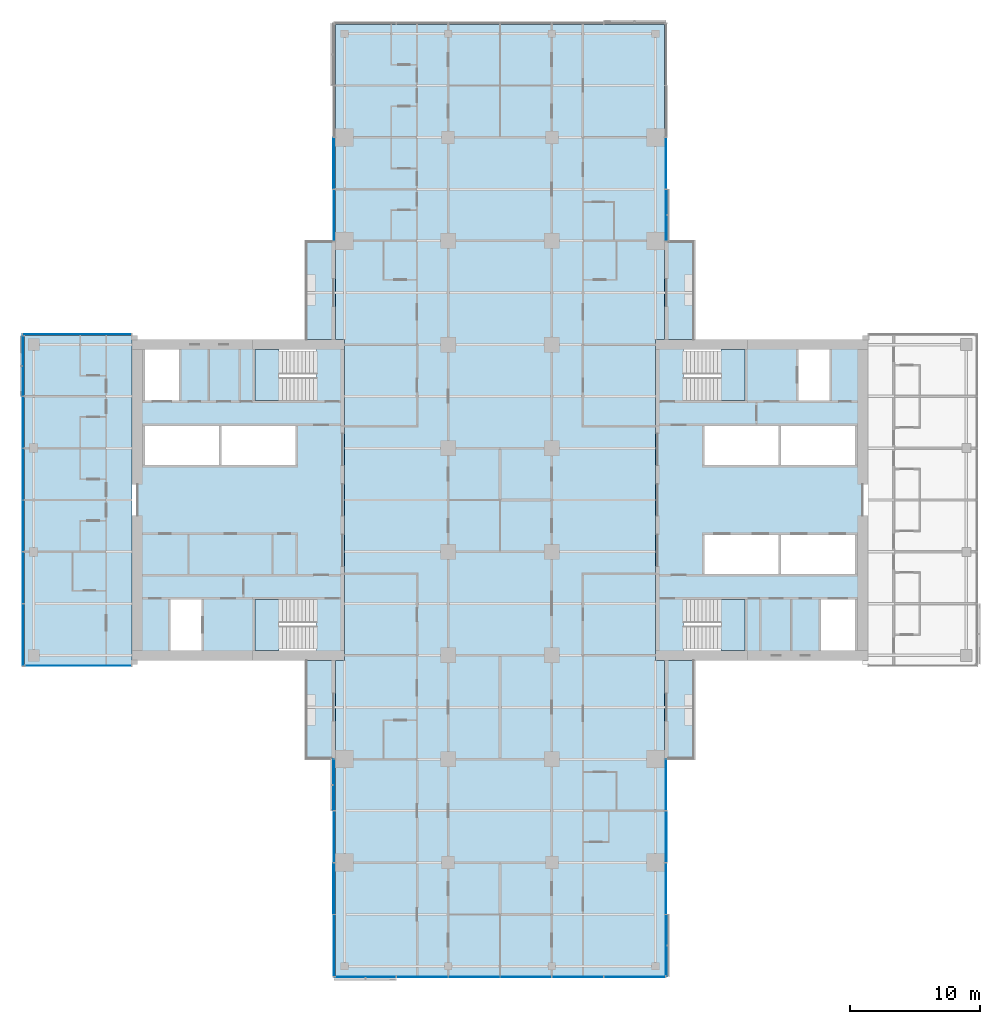
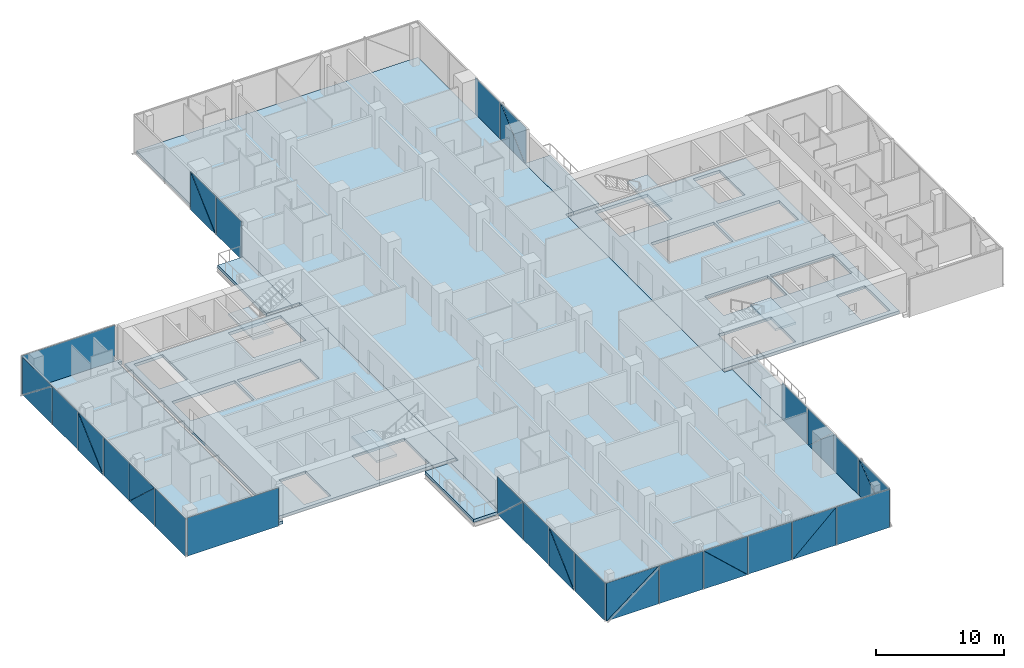
# One storey, part 13 of 27: 38 plates, 12 slabs, 12 elements without a shape of their own.
"""IFC4 building model written with IfcOpenShell, lengths in metres."""

from ifc_helpers import new_model, si_unit, direction, frame, origin, place, context, subcontext, project, spatial, polyline, outline, extrude, material, layer, layer_set, type_object, element, aggregate, save


model = new_model("IFC4")

# Units and contexts
model_context = context("Model", 3, precision=1e-05, world=origin(), true_north=direction((0.0, 1.0)))
body_context = subcontext(model_context, "Body", "Model", "MODEL_VIEW")
ifc_project = project(units=[si_unit("LENGTHUNIT", "METRE"), si_unit("AREAUNIT", "SQUARE_METRE"), si_unit("VOLUMEUNIT", "CUBIC_METRE"), si_unit("PLANEANGLEUNIT", "RADIAN"), si_unit("MASSUNIT", "GRAM", prefix="KILO")], contexts=[model_context])

# Site, building, storey
site_placement = place(None, origin())
site = spatial("IfcSite", under=ifc_project, at=site_placement, CompositionType="ELEMENT")
building_placement = place(site_placement, origin())
building = spatial("IfcBuilding", under=site, at=building_placement, Name="Crosswind Convention Tower", CompositionType="ELEMENT")
storey_placement = place(building_placement, frame((0.0, 0.0, 94.199951171875)))
storey = spatial("IfcBuildingStorey", under=building, at=storey_placement, Name="L18", CompositionType="ELEMENT", Elevation=94.199951171875)

# Slabs
ifc_material_1 = material(Name="Concrete C40/50", Category="concrete")
ifc_layer_1 = layer(ifc_material_1, 0.280029296875)
ifc_layer_set_1 = layer_set([ifc_layer_1], Name="Concrete C40/50")
slab_type_1 = type_object("IfcSlabType", Name="BALCONY SLAB 280", PredefinedType="USERDEFINED", material=ifc_layer_set_1)
slab_1_placement = place(storey_placement, frame((0.0, 0.0, -0.280029296875)))
element("IfcSlab", 1, at=slab_1_placement, inside=storey, type_object=slab_type_1, Name="BALCONY L18 N-E.1-1", ObjectType="BALCONY", PredefinedType="USERDEFINED", context=body_context, shape_type="SweptSolid", body=[
    extrude(outline(polyline([(137.699951171875, 112.39990234375), (137.699951171875, 120.0), (140.0, 120.0), (140.0, 112.39990234375), (137.699951171875, 112.39990234375)])), origin(), (0.0, 0.0, 1.0), 0.280029296875),
])
slab_2_placement = place(storey_placement, frame((0.0, 0.0, -0.280029296875)))
element("IfcSlab", 2, at=slab_2_placement, inside=storey, type_object=slab_type_1, Name="BALCONY L18 N-W.1-3", ObjectType="BALCONY", PredefinedType="USERDEFINED", context=body_context, shape_type="SweptSolid", body=[
    extrude(outline(polyline([(112.300048828125, 120.0), (112.300048828125, 112.39990234375), (110.0, 112.39990234375), (110.0, 120.0), (112.300048828125, 120.0)])), origin(), (0.0, 0.0, 1.0), 0.280029296875),
])
slab_3_placement = place(storey_placement, frame((0.0, 0.0, -0.280029296875)))
element("IfcSlab", 3, at=slab_3_placement, inside=storey, type_object=slab_type_1, Name="BALCONY L18 S-W.1-1", ObjectType="BALCONY", PredefinedType="USERDEFINED", context=body_context, shape_type="SweptSolid", body=[
    extrude(outline(polyline([(112.300048828125, 87.60009765625), (112.300048828125, 80.0), (110.0, 80.0), (110.0, 87.60009765625), (112.300048828125, 87.60009765625)])), origin(), (0.0, 0.0, 1.0), 0.280029296875),
])
slab_4_placement = place(storey_placement, frame((0.0, 0.0, -0.280029296875)))
element("IfcSlab", 4, at=slab_4_placement, inside=storey, type_object=slab_type_1, Name="BALCONY L18 S-E.1-3", ObjectType="BALCONY", PredefinedType="USERDEFINED", context=body_context, shape_type="SweptSolid", body=[
    extrude(outline(polyline([(137.699951171875, 80.0), (137.699951171875, 87.60009765625), (140.0, 87.60009765625), (140.0, 80.0), (137.699951171875, 80.0)])), origin(), (0.0, 0.0, 1.0), 0.280029296875),
])
ifc_layer_2 = layer(ifc_material_1, 0.280029296875)
ifc_layer_set_2 = layer_set([ifc_layer_2], Name="Concrete C40/50")
slab_type_2 = type_object("IfcSlabType", Name="Composite floor slab 280", PredefinedType="FLOOR", material=ifc_layer_set_2)
slab_5_placement = place(storey_placement, frame((0.0, 0.0, -0.280029296875)))
element("IfcSlab", 5, at=slab_5_placement, inside=storey, type_object=slab_type_2, Name="Floor slab L18 part 1", PredefinedType="FLOOR", context=body_context, shape_type="SweptSolid", body=[
    extrude(outline(polyline([(97.0, 87.300048828125), (89.0, 87.300048828125), (88.300048828125, 87.300048828125), (88.300048828125, 88.0), (88.300048828125, 112.0), (88.300048828125, 112.699951171875), (89.0, 112.699951171875), (97.0, 112.699951171875), (97.0, 112.39990234375), (96.60009765625, 112.39990234375), (96.60009765625, 87.60009765625), (97.0, 87.60009765625), (97.0, 87.300048828125)])), origin(), (0.0, 0.0, 1.0), 0.280029296875),
])
slab_6_placement = place(storey_placement, frame((0.0, 0.0, -0.280029296875)))
element("IfcSlab", 6, at=slab_6_placement, inside=storey, type_object=slab_type_2, Name="Floor slab L18 part 2", PredefinedType="FLOOR", context=body_context, shape_type="SweptSolid", body=[
    extrude(outline(polyline([(112.300048828125, 87.60009765625), (113.0, 87.60009765625), (113.0, 112.39990234375), (112.300048828125, 112.39990234375), (112.300048828125, 136.0), (112.300048828125, 136.699951171875), (113.0, 136.699951171875), (137.0, 136.699951171875), (137.699951171875, 136.699951171875), (137.699951171875, 136.0), (137.699951171875, 112.39990234375), (137.0, 112.39990234375), (137.0, 87.60009765625), (137.699951171875, 87.60009765625), (137.699951171875, 64.0), (137.699951171875, 63.300048828125), (137.0, 63.300048828125), (113.0, 63.300048828125), (112.300048828125, 63.300048828125), (112.300048828125, 64.0), (112.300048828125, 87.60009765625)])), origin(), (0.0, 0.0, 1.0), 0.280029296875),
])
ifc_layer_3 = layer(ifc_material_1, 0.280029296875)
ifc_layer_set_3 = layer_set([ifc_layer_3], Name="Concrete C40/50")
slab_type_3 = type_object("IfcSlabType", Name="Concrete core floor slab 280", PredefinedType="FLOOR", material=ifc_layer_set_3)
slab_7_placement = place(storey_placement, frame((0.0, 0.0, -0.280029296875)))
element("IfcSlab", 7, at=slab_7_placement, inside=storey, type_object=slab_type_3, Name="Core floor slab E L18", PredefinedType="FLOOR", context=body_context, shape_type="SweptSolid", body=[
    extrude(outline(polyline([(137.0, 88.0), (153.0, 88.0), (153.0, 112.0), (137.0, 112.0), (137.0, 88.0)]), holes=[polyline([(146.5, 102.699951171875), (146.5, 105.699951171875), (140.800048828125, 105.699951171875), (140.800048828125, 102.699951171875), (146.5, 102.699951171875)]), polyline([(152.39990234375, 102.699951171875), (152.39990234375, 105.699951171875), (146.699951171875, 105.699951171875), (146.699951171875, 102.699951171875), (152.39990234375, 102.699951171875)]), polyline([(146.5, 94.300048828125), (146.5, 97.300048828125), (140.800048828125, 97.300048828125), (140.800048828125, 94.300048828125), (146.5, 94.300048828125)]), polyline([(152.39990234375, 94.300048828125), (152.39990234375, 97.300048828125), (146.699951171875, 97.300048828125), (146.699951171875, 94.300048828125), (152.39990234375, 94.300048828125)]), polyline([(150.449951171875, 107.699951171875), (150.449951171875, 111.60009765625), (148.050048828125, 111.60009765625), (148.050048828125, 107.699951171875), (150.449951171875, 107.699951171875)]), polyline([(152.39990234375, 88.39990234375), (152.39990234375, 92.300048828125), (149.800048828125, 92.300048828125), (149.800048828125, 88.39990234375), (152.39990234375, 88.39990234375)]), polyline([(143.89990234375, 107.699951171875), (143.89990234375, 111.60009765625), (139.14990234375, 111.60009765625), (139.14990234375, 107.699951171875), (143.89990234375, 107.699951171875)]), polyline([(143.89990234375, 88.39990234375), (143.89990234375, 92.300048828125), (139.14990234375, 92.300048828125), (139.14990234375, 88.39990234375), (143.89990234375, 88.39990234375)])]), origin(), (0.0, 0.0, 1.0), 0.280029296875),
])
slab_8_placement = place(storey_placement, frame((0.0, 0.0, -0.280029296875)))
element("IfcSlab", 8, at=slab_8_placement, inside=storey, type_object=slab_type_3, Name="Core floor slab W L18", PredefinedType="FLOOR", context=body_context, shape_type="SweptSolid", body=[
    extrude(outline(polyline([(97.0, 88.0), (113.0, 88.0), (113.0, 112.0), (97.0, 112.0), (97.0, 88.0)]), holes=[polyline([(109.199951171875, 102.699951171875), (109.199951171875, 105.699951171875), (103.5, 105.699951171875), (103.5, 102.699951171875), (109.199951171875, 102.699951171875)]), polyline([(103.300048828125, 102.699951171875), (103.300048828125, 105.699951171875), (97.60009765625, 105.699951171875), (97.60009765625, 102.699951171875), (103.300048828125, 102.699951171875)]), polyline([(101.949951171875, 88.39990234375), (101.949951171875, 92.300048828125), (99.550048828125, 92.300048828125), (99.550048828125, 88.39990234375), (101.949951171875, 88.39990234375)]), polyline([(100.199951171875, 107.699951171875), (100.199951171875, 111.60009765625), (97.60009765625, 111.60009765625), (97.60009765625, 107.699951171875), (100.199951171875, 107.699951171875)]), polyline([(110.85009765625, 88.39990234375), (110.85009765625, 92.300048828125), (106.10009765625, 92.300048828125), (106.10009765625, 88.39990234375), (110.85009765625, 88.39990234375)]), polyline([(110.85009765625, 107.699951171875), (110.85009765625, 111.60009765625), (106.10009765625, 111.60009765625), (106.10009765625, 107.699951171875), (110.85009765625, 107.699951171875)])]), origin(), (0.0, 0.0, 1.0), 0.280029296875),
])

# Stair, slab
stair_type = type_object("IfcStairType", Name="Exit stair 1800 wide, 2 flights of 11 risers", PredefinedType="HALF_TURN_STAIR", material=ifc_material_1)
stair_1_placement = place(storey_placement, origin())
stair_1 = element("IfcStair", 9, at=stair_1_placement, inside=storey, type_object=stair_type, Name="Exit stair ST1 L18", ObjectType="ST5", PredefinedType="HALF_TURN_STAIR")
ifc_layer_4 = layer(ifc_material_1, 0.199951171875)
ifc_layer_set_4 = layer_set([ifc_layer_4], Name="Concrete C40/50")
slab_type_4 = type_object("IfcSlabType", Name="Stair landing 200", PredefinedType="LANDING", material=ifc_layer_set_4)
slab_9_placement = place(storey_placement, frame((0.0, 0.0, 1.650146484375)))
slab_9 = element("IfcSlab", 10, at=slab_9_placement, type_object=slab_type_4, Name="ST1 landing 1", PredefinedType="LANDING", context=body_context, shape_type="SweptSolid", body=[
    extrude(outline(polyline([(143.89990234375, 107.699951171875), (143.89990234375, 111.60009765625), (142.050048828125, 111.60009765625), (142.050048828125, 107.699951171875), (143.89990234375, 107.699951171875)])), origin(), (0.0, 0.0, 1.0), 0.199951171875),
])
aggregate(stair_1, [slab_9])

stair_2_placement = place(storey_placement, origin())
stair_2 = element("IfcStair", 11, at=stair_2_placement, inside=storey, type_object=stair_type, Name="Exit stair ST2 L18", ObjectType="ST5", PredefinedType="HALF_TURN_STAIR")
slab_10_placement = place(storey_placement, frame((0.0, 0.0, 1.650146484375)))
slab_10 = element("IfcSlab", 12, at=slab_10_placement, type_object=slab_type_4, Name="ST2 landing 1", PredefinedType="LANDING", context=body_context, shape_type="SweptSolid", body=[
    extrude(outline(polyline([(143.89990234375, 88.39990234375), (143.89990234375, 92.300048828125), (142.050048828125, 92.300048828125), (142.050048828125, 88.39990234375), (143.89990234375, 88.39990234375)])), origin(), (0.0, 0.0, 1.0), 0.199951171875),
])
aggregate(stair_2, [slab_10])

stair_3_placement = place(storey_placement, origin())
stair_3 = element("IfcStair", 13, at=stair_3_placement, inside=storey, type_object=stair_type, Name="Exit stair ST3 L18", ObjectType="ST5", PredefinedType="HALF_TURN_STAIR")
slab_11_placement = place(storey_placement, frame((0.0, 0.0, 1.650146484375)))
slab_11 = element("IfcSlab", 14, at=slab_11_placement, type_object=slab_type_4, Name="ST3 landing 1", PredefinedType="LANDING", context=body_context, shape_type="SweptSolid", body=[
    extrude(outline(polyline([(107.949951171875, 88.39990234375), (107.949951171875, 92.300048828125), (106.10009765625, 92.300048828125), (106.10009765625, 88.39990234375), (107.949951171875, 88.39990234375)])), origin(), (0.0, 0.0, 1.0), 0.199951171875),
])
aggregate(stair_3, [slab_11])

stair_4_placement = place(storey_placement, origin())
stair_4 = element("IfcStair", 15, at=stair_4_placement, inside=storey, type_object=stair_type, Name="Exit stair ST4 L18", ObjectType="ST5", PredefinedType="HALF_TURN_STAIR")
slab_12_placement = place(storey_placement, frame((0.0, 0.0, 1.650146484375)))
slab_12 = element("IfcSlab", 16, at=slab_12_placement, type_object=slab_type_4, Name="ST4 landing 1", PredefinedType="LANDING", context=body_context, shape_type="SweptSolid", body=[
    extrude(outline(polyline([(107.949951171875, 107.699951171875), (107.949951171875, 111.60009765625), (106.10009765625, 111.60009765625), (106.10009765625, 107.699951171875), (107.949951171875, 107.699951171875)])), origin(), (0.0, 0.0, 1.0), 0.199951171875),
])
aggregate(stair_4, [slab_12])

# Curtain wall, plate
ifc_material_2 = material(Name="Aluminium unitised curtain wall", Category="aluminium")
curtain_wall_type_1 = type_object("IfcCurtainWallType", Name="CORE END SLOT WALL 160", PredefinedType="USERDEFINED", material=ifc_material_2)
curtain_wall_1_placement = place(storey_placement, origin())
curtain_wall_1 = element("IfcCurtainWall", 17, at=curtain_wall_1_placement, inside=storey, type_object=curtain_wall_type_1, Name="CW6 L18 W-N.2-1 slot", ObjectType="UNITISED", PredefinedType="USERDEFINED")
ifc_material_3 = material(Name="Laminated insulating glass unit", Category="glass")
ifc_layer_5 = layer(ifc_material_3, 0.02587890625)
ifc_layer_set_5 = layer_set([ifc_layer_5], Name="TRIANGULAR GLASS PANEL 26")
plate_type_1 = type_object("IfcPlateType", Name="TRIANGULAR GLASS PANEL 26", PredefinedType="CURTAIN_PANEL", material=ifc_layer_set_5)
plate_1_placement = place(storey_placement, frame((96.550048828125, 112.806640625, -0.280029296875), z_axis=(0.0, 0.999999919475, 0.000401310917), x_axis=(-1.0, 0.0, 0.0)))
plate_1 = element("IfcPlate", 18, at=plate_1_placement, type_object=plate_type_1, Name="CW6 panel 1.1", PredefinedType="CURTAIN_PANEL", context=body_context, shape_type="SweptSolid", body=[
    extrude(outline(polyline([(0.0, 0.0), (8.400146484375, 0.0), (8.400146484375, 3.6501467783039057), (0.0, 3.6501467783039057), (0.0, 0.0)])), origin(), (0.0, 0.0, -1.0), 0.02587890625),
])
aggregate(curtain_wall_1, [plate_1])

curtain_wall_2_placement = place(storey_placement, origin())
curtain_wall_2 = element("IfcCurtainWall", 19, at=curtain_wall_2_placement, inside=storey, type_object=curtain_wall_type_1, Name="CW6 L18 W-S.1-1 slot", ObjectType="UNITISED", PredefinedType="USERDEFINED")
plate_2_placement = place(storey_placement, frame((88.35009765625, 87.193359375, -0.280029296875), z_axis=(0.0, -0.999999919475, 0.000401310917), x_axis=(1.0, 0.0, 0.0)))
plate_2 = element("IfcPlate", 20, at=plate_2_placement, type_object=plate_type_1, Name="CW6 panel 1.1", PredefinedType="CURTAIN_PANEL", context=body_context, shape_type="SweptSolid", body=[
    extrude(outline(polyline([(0.0, 0.0), (8.199951171875, 0.0), (8.199951171875, 3.650146778303906), (0.0, 3.650146778303906), (0.0, 0.0)])), origin(), (0.0, 0.0, -1.0), 0.02587890625),
])
aggregate(curtain_wall_2, [plate_2])

# Curtain wall, plates
curtain_wall_type_2 = type_object("IfcCurtainWallType", Name="HOTEL UNITISED WALL 200", PredefinedType="USERDEFINED", material=ifc_material_2)
curtain_wall_3_placement = place(storey_placement, origin())
curtain_wall_3 = element("IfcCurtainWall", 21, at=curtain_wall_3_placement, inside=storey, type_object=curtain_wall_type_2, Name="CW2 L18 N-E 1", ObjectType="UNITISED", PredefinedType="USERDEFINED")
ifc_layer_6 = layer(ifc_material_3, 0.028076171875)
ifc_layer_set_6 = layer_set([ifc_layer_6], Name="TRIANGULAR GLASS PANEL 28")
plate_type_2 = type_object("IfcPlateType", Name="TRIANGULAR GLASS PANEL 28", PredefinedType="CURTAIN_PANEL", material=ifc_layer_set_6)
plate_3_placement = place(storey_placement, frame((137.82861328125, 123.967529296875, -0.280029296875), z_axis=(0.999999943194, 0.0, 0.000337063484), x_axis=(-0.000337063484, 0.0, 0.999999943194)))
plate_3 = element("IfcPlate", 22, at=plate_3_placement, type_object=plate_type_2, Name="CW2 panel 1.1", PredefinedType="CURTAIN_PANEL", context=body_context, shape_type="SweptSolid", body=[
    extrude(outline(polyline([(0.0, 0.0), (3.62158223697723, 0.0), (0.0, 3.920410156250001), (0.0, 0.0)])), origin(), (0.0, 0.0, -1.0), 0.028076171875),
])
plate_4_placement = place(storey_placement, frame((137.857177734375, 120.032470703125, 3.35498046875), z_axis=(0.999999918188, 0.0, 0.000404503439), x_axis=(0.000404503439, 0.0, -0.999999918188)))
plate_4 = element("IfcPlate", 23, at=plate_4_placement, type_object=plate_type_2, Name="CW2 panel 1.2", PredefinedType="CURTAIN_PANEL", context=body_context, shape_type="SweptSolid", body=[
    extrude(outline(polyline([(0.0, 0.0), (3.6213381868921797, 0.0), (0.0, 3.92041015625), (0.0, 0.0)])), origin(), (0.0, 0.0, -1.0), 0.028076171875),
])
plate_5_placement = place(storey_placement, frame((137.82861328125, 124.032470703125, -0.280029296875), z_axis=(0.999999943613, 0.0, 0.00033581837), x_axis=(0.0, 1.0, 0.0)))
plate_5 = element("IfcPlate", 24, at=plate_5_placement, type_object=plate_type_2, Name="CW2 panel 2.1", PredefinedType="CURTAIN_PANEL", context=body_context, shape_type="SweptSolid", body=[
    extrude(outline(polyline([(0.0, 0.0), (3.93505859375, 0.0), (3.93505859375, 3.635009970592273), (0.0, 3.635009970592273), (0.0, 0.0)])), origin(), (0.0, 0.0, -1.0), 0.028076171875),
])
aggregate(curtain_wall_3, [plate_3, plate_4, plate_5])

curtain_wall_4_placement = place(storey_placement, origin())
curtain_wall_4 = element("IfcCurtainWall", 25, at=curtain_wall_4_placement, inside=storey, type_object=curtain_wall_type_2, Name="CW2 L18 N-W 1", ObjectType="UNITISED", PredefinedType="USERDEFINED")
plate_6_placement = place(storey_placement, frame((112.172607421875, 124.032470703125, 3.35498046875), z_axis=(-0.999999943186, 0.0, 0.000337086208), x_axis=(0.0, 1.0, 0.0)))
plate_6 = element("IfcPlate", 26, at=plate_6_placement, type_object=plate_type_2, Name="CW2 panel 3.1", PredefinedType="CURTAIN_PANEL", context=body_context, shape_type="SweptSolid", body=[
    extrude(outline(polyline([(0.0, 0.0), (3.92041015625, 0.0), (0.0, 3.6213380963660997), (0.0, 0.0)])), origin(), (0.0, 0.0, -1.0), 0.028076171875),
])
plate_7_placement = place(storey_placement, frame((112.141357421875, 127.967529296875, -0.280029296875), z_axis=(-0.9999999182, 0.0, 0.00040447617), x_axis=(0.0, -1.0, 0.0)))
plate_7 = element("IfcPlate", 27, at=plate_7_placement, type_object=plate_type_2, Name="CW2 panel 3.2", PredefinedType="CURTAIN_PANEL", context=body_context, shape_type="SweptSolid", body=[
    extrude(outline(polyline([(0.0, 0.0), (3.92041015625, 0.0), (0.0, 3.621582327497207), (0.0, 0.0)])), origin(), (0.0, 0.0, -1.0), 0.028076171875),
])
plate_8_placement = place(storey_placement, frame((112.17138671875, 123.967529296875, -0.280029296875), z_axis=(-0.999999943613, 0.0, 0.00033581837), x_axis=(0.0, -1.0, 0.0)))
plate_8 = element("IfcPlate", 28, at=plate_8_placement, type_object=plate_type_2, Name="CW2 panel 4.1", PredefinedType="CURTAIN_PANEL", context=body_context, shape_type="SweptSolid", body=[
    extrude(outline(polyline([(0.0, 0.0), (3.93505859375, 0.0), (3.93505859375, 3.635009970592273), (0.0, 3.635009970592273), (0.0, 0.0)])), origin(), (0.0, 0.0, -1.0), 0.028076171875),
])
aggregate(curtain_wall_4, [plate_6, plate_7, plate_8])

curtain_wall_5_placement = place(storey_placement, origin())
curtain_wall_5 = element("IfcCurtainWall", 29, at=curtain_wall_5_placement, inside=storey, type_object=curtain_wall_type_2, Name="CW2 L18 W-TIP 1", ObjectType="UNITISED", PredefinedType="USERDEFINED")
plate_9_placement = place(storey_placement, frame((88.17138671875, 108.032470703125, -0.280029296875), z_axis=(-0.999999943217, 0.0, 0.00033699533), x_axis=(0.00033699533, 0.0, 0.999999943217)))
plate_9 = element("IfcPlate", 30, at=plate_9_placement, type_object=plate_type_2, Name="CW2 panel 1.1", PredefinedType="CURTAIN_PANEL", context=body_context, shape_type="SweptSolid", body=[
    extrude(outline(polyline([(0.0, 0.0), (3.6223146588106325, 0.0), (0.0, 4.58642578125), (0.0, 0.0)])), origin(), (0.0, 0.0, -1.0), 0.028076171875),
])
plate_10_placement = place(storey_placement, frame((88.142822265625, 112.635009765625, 3.35498046875), z_axis=(-0.999999918222, 0.0, 0.000404421644), x_axis=(-0.000404421644, 0.0, -0.999999918222)))
plate_10 = element("IfcPlate", 31, at=plate_10_placement, type_object=plate_type_2, Name="CW2 panel 1.2", PredefinedType="CURTAIN_PANEL", context=body_context, shape_type="SweptSolid", body=[
    extrude(outline(polyline([(0.0, 0.0), (3.6220706087072707, 0.0), (0.0, 4.586425781249999), (0.0, 0.0)])), origin(), (0.0, 0.0, -1.0), 0.028076171875),
])
plate_11_placement = place(storey_placement, frame((88.17138671875, 107.967529296875, -0.280029296875), z_axis=(-0.999999943613, 0.0, 0.00033581837), x_axis=(0.0, -1.0, 0.0)))
plate_11 = element("IfcPlate", 32, at=plate_11_placement, type_object=plate_type_2, Name="CW2 panel 2.1", PredefinedType="CURTAIN_PANEL", context=body_context, shape_type="SweptSolid", body=[
    extrude(outline(polyline([(0.0, 0.0), (3.93505859375, 0.0), (3.93505859375, 3.635009970592273), (0.0, 3.635009970592273), (0.0, 0.0)])), origin(), (0.0, 0.0, -1.0), 0.028076171875),
])
plate_12_placement = place(storey_placement, frame((88.172607421875, 100.032470703125, 3.35498046875), z_axis=(-0.999999943186, 0.0, 0.000337086208), x_axis=(0.0, 1.0, 0.0)))
plate_12 = element("IfcPlate", 33, at=plate_12_placement, type_object=plate_type_2, Name="CW2 panel 3.1", PredefinedType="CURTAIN_PANEL", context=body_context, shape_type="SweptSolid", body=[
    extrude(outline(polyline([(0.0, 0.0), (3.92041015625, 0.0), (0.0, 3.6213380963660997), (0.0, 0.0)])), origin(), (0.0, 0.0, -1.0), 0.028076171875),
])
plate_13_placement = place(storey_placement, frame((88.141357421875, 103.967529296875, -0.280029296875), z_axis=(-0.9999999182, 0.0, 0.00040447617), x_axis=(0.0, -1.0, 0.0)))
plate_13 = element("IfcPlate", 34, at=plate_13_placement, type_object=plate_type_2, Name="CW2 panel 3.2", PredefinedType="CURTAIN_PANEL", context=body_context, shape_type="SweptSolid", body=[
    extrude(outline(polyline([(0.0, 0.0), (3.92041015625, 0.0), (0.0, 3.621582327497207), (0.0, 0.0)])), origin(), (0.0, 0.0, -1.0), 0.028076171875),
])
plate_14_placement = place(storey_placement, frame((88.17138671875, 99.967529296875, -0.280029296875), z_axis=(-0.999999943613, 0.0, 0.00033581837), x_axis=(0.0, -1.0, 0.0)))
plate_14 = element("IfcPlate", 35, at=plate_14_placement, type_object=plate_type_2, Name="CW2 panel 4.1", PredefinedType="CURTAIN_PANEL", context=body_context, shape_type="SweptSolid", body=[
    extrude(outline(polyline([(0.0, 0.0), (3.93505859375, 0.0), (3.93505859375, 3.635009970592273), (0.0, 3.635009970592273), (0.0, 0.0)])), origin(), (0.0, 0.0, -1.0), 0.028076171875),
])
plate_15_placement = place(storey_placement, frame((88.17138671875, 92.032470703125, -0.280029296875), z_axis=(-0.999999943194, 0.0, 0.000337063484), x_axis=(0.000337063484, 0.0, 0.999999943194)))
plate_15 = element("IfcPlate", 36, at=plate_15_placement, type_object=plate_type_2, Name="CW2 panel 5.1", PredefinedType="CURTAIN_PANEL", context=body_context, shape_type="SweptSolid", body=[
    extrude(outline(polyline([(0.0, 0.0), (3.62158223697723, 0.0), (0.0, 3.920410156250001), (0.0, 0.0)])), origin(), (0.0, 0.0, -1.0), 0.028076171875),
])
plate_16_placement = place(storey_placement, frame((88.142822265625, 95.967529296875, 3.35498046875), z_axis=(-0.999999918188, 0.0, 0.000404503439), x_axis=(-0.000404503439, 0.0, -0.999999918188)))
plate_16 = element("IfcPlate", 37, at=plate_16_placement, type_object=plate_type_2, Name="CW2 panel 5.2", PredefinedType="CURTAIN_PANEL", context=body_context, shape_type="SweptSolid", body=[
    extrude(outline(polyline([(0.0, 0.0), (3.6213381868921797, 0.0), (0.0, 3.92041015625), (0.0, 0.0)])), origin(), (0.0, 0.0, -1.0), 0.028076171875),
])
plate_17_placement = place(storey_placement, frame((88.17138671875, 91.967529296875, -0.280029296875), z_axis=(-0.999999943613, 0.0, 0.00033581837), x_axis=(0.0, -1.0, 0.0)))
plate_17 = element("IfcPlate", 38, at=plate_17_placement, type_object=plate_type_2, Name="CW2 panel 6.1", PredefinedType="CURTAIN_PANEL", context=body_context, shape_type="SweptSolid", body=[
    extrude(outline(polyline([(0.0, 0.0), (4.762451171875, 0.0), (4.762451171875, 3.635009970592273), (0.0, 3.635009970592273), (0.0, 0.0)])), origin(), (0.0, 0.0, -1.0), 0.028076171875),
])
aggregate(curtain_wall_5, [plate_9, plate_10, plate_11, plate_12, plate_13, plate_14, plate_15, plate_16, plate_17])

curtain_wall_6_placement = place(storey_placement, origin())
curtain_wall_6 = element("IfcCurtainWall", 39, at=curtain_wall_6_placement, inside=storey, type_object=curtain_wall_type_2, Name="CW2 L18 S-W 1", ObjectType="UNITISED", PredefinedType="USERDEFINED")
plate_18_placement = place(storey_placement, frame((112.17138671875, 76.032470703125, -0.280029296875), z_axis=(-0.999999943194, 0.0, 0.000337063484), x_axis=(0.000337063484, 0.0, 0.999999943194)))
plate_18 = element("IfcPlate", 40, at=plate_18_placement, type_object=plate_type_2, Name="CW2 panel 1.1", PredefinedType="CURTAIN_PANEL", context=body_context, shape_type="SweptSolid", body=[
    extrude(outline(polyline([(0.0, 0.0), (3.62158223697723, 0.0), (0.0, 3.920410156250001), (0.0, 0.0)])), origin(), (0.0, 0.0, -1.0), 0.028076171875),
])
plate_19_placement = place(storey_placement, frame((112.142822265625, 79.967529296875, 3.35498046875), z_axis=(-0.999999918188, 0.0, 0.000404503439), x_axis=(-0.000404503439, 0.0, -0.999999918188)))
plate_19 = element("IfcPlate", 41, at=plate_19_placement, type_object=plate_type_2, Name="CW2 panel 1.2", PredefinedType="CURTAIN_PANEL", context=body_context, shape_type="SweptSolid", body=[
    extrude(outline(polyline([(0.0, 0.0), (3.6213381868921797, 0.0), (0.0, 3.92041015625), (0.0, 0.0)])), origin(), (0.0, 0.0, -1.0), 0.028076171875),
])
plate_20_placement = place(storey_placement, frame((112.17138671875, 75.967529296875, -0.280029296875), z_axis=(-0.999999943613, 0.0, 0.00033581837), x_axis=(0.0, -1.0, 0.0)))
plate_20 = element("IfcPlate", 42, at=plate_20_placement, type_object=plate_type_2, Name="CW2 panel 2.1", PredefinedType="CURTAIN_PANEL", context=body_context, shape_type="SweptSolid", body=[
    extrude(outline(polyline([(0.0, 0.0), (3.93505859375, 0.0), (3.93505859375, 3.635009970592273), (0.0, 3.635009970592273), (0.0, 0.0)])), origin(), (0.0, 0.0, -1.0), 0.028076171875),
])
plate_21_placement = place(storey_placement, frame((112.172607421875, 68.032470703125, 3.35498046875), z_axis=(-0.999999943186, 0.0, 0.000337086208), x_axis=(0.0, 1.0, 0.0)))
plate_21 = element("IfcPlate", 43, at=plate_21_placement, type_object=plate_type_2, Name="CW2 panel 3.1", PredefinedType="CURTAIN_PANEL", context=body_context, shape_type="SweptSolid", body=[
    extrude(outline(polyline([(0.0, 0.0), (3.92041015625, 0.0), (0.0, 3.6213380963660997), (0.0, 0.0)])), origin(), (0.0, 0.0, -1.0), 0.028076171875),
])
plate_22_placement = place(storey_placement, frame((112.141357421875, 71.967529296875, -0.280029296875), z_axis=(-0.9999999182, 0.0, 0.00040447617), x_axis=(0.0, -1.0, 0.0)))
plate_22 = element("IfcPlate", 44, at=plate_22_placement, type_object=plate_type_2, Name="CW2 panel 3.2", PredefinedType="CURTAIN_PANEL", context=body_context, shape_type="SweptSolid", body=[
    extrude(outline(polyline([(0.0, 0.0), (3.92041015625, 0.0), (0.0, 3.621582327497207), (0.0, 0.0)])), origin(), (0.0, 0.0, -1.0), 0.028076171875),
])
plate_23_placement = place(storey_placement, frame((112.17138671875, 67.967529296875, -0.280029296875), z_axis=(-0.999999943613, 0.0, 0.00033581837), x_axis=(0.0, -1.0, 0.0)))
plate_23 = element("IfcPlate", 45, at=plate_23_placement, type_object=plate_type_2, Name="CW2 panel 4.1", PredefinedType="CURTAIN_PANEL", context=body_context, shape_type="SweptSolid", body=[
    extrude(outline(polyline([(0.0, 0.0), (4.735107421875, 0.0), (4.735107421875, 3.6350099705922725), (0.0, 3.6350099705922725), (0.0, 0.0)])), origin(), (0.0, 0.0, -1.0), 0.028076171875),
])
aggregate(curtain_wall_6, [plate_18, plate_19, plate_20, plate_21, plate_22, plate_23])

curtain_wall_7_placement = place(storey_placement, origin())
curtain_wall_7 = element("IfcCurtainWall", 46, at=curtain_wall_7_placement, inside=storey, type_object=curtain_wall_type_2, Name="CW2 L18 S-TIP 1", ObjectType="UNITISED", PredefinedType="USERDEFINED")
plate_24_placement = place(storey_placement, frame((116.967529296875, 63.17138671875, -0.280029296875), z_axis=(0.0, -0.999999943225, 0.000336972619), x_axis=(0.0, 0.000336972619, 0.999999943225)))
plate_24 = element("IfcPlate", 47, at=plate_24_placement, type_object=plate_type_2, Name="CW2 panel 1.1", PredefinedType="CURTAIN_PANEL", context=body_context, shape_type="SweptSolid", body=[
    extrude(outline(polyline([(0.0, 0.0), (3.6225587994217703, 0.0), (0.0, 4.718505859374999), (0.0, 0.0)])), origin(), (0.0, 0.0, -1.0), 0.028076171875),
])
plate_25_placement = place(storey_placement, frame((112.232421875, 63.142822265625, 3.35498046875), z_axis=(0.0, -0.999999918233, 0.000404394386), x_axis=(0.0, -0.000404394386, -0.999999918233)))
plate_25 = element("IfcPlate", 48, at=plate_25_placement, type_object=plate_type_2, Name="CW2 panel 1.2", PredefinedType="CURTAIN_PANEL", context=body_context, shape_type="SweptSolid", body=[
    extrude(outline(polyline([(0.0, 0.0), (3.6223147493123067, 0.0), (0.0, 4.71875), (0.0, 0.0)])), origin(), (0.0, 0.0, -1.0), 0.028076171875),
])
plate_26_placement = place(storey_placement, frame((117.032470703125, 63.17138671875, -0.280029296875), z_axis=(0.0, -0.999999943613, 0.00033581837), x_axis=(1.0, 0.0, 0.0)))
plate_26 = element("IfcPlate", 49, at=plate_26_placement, type_object=plate_type_2, Name="CW2 panel 2.1", PredefinedType="CURTAIN_PANEL", context=body_context, shape_type="SweptSolid", body=[
    extrude(outline(polyline([(0.0, 0.0), (3.93505859375, 0.0), (3.93505859375, 3.635009970592273), (0.0, 3.635009970592273), (0.0, 0.0)])), origin(), (0.0, 0.0, -1.0), 0.028076171875),
])
plate_27_placement = place(storey_placement, frame((124.967529296875, 63.172607421875, 3.35498046875), z_axis=(0.0, -0.999999943186, 0.000337086208), x_axis=(-1.0, 0.0, 0.0)))
plate_27 = element("IfcPlate", 50, at=plate_27_placement, type_object=plate_type_2, Name="CW2 panel 3.1", PredefinedType="CURTAIN_PANEL", context=body_context, shape_type="SweptSolid", body=[
    extrude(outline(polyline([(0.0, 0.0), (3.92041015625, 0.0), (0.0, 3.6213380963660997), (0.0, 0.0)])), origin(), (0.0, 0.0, -1.0), 0.028076171875),
])
plate_28_placement = place(storey_placement, frame((121.032470703125, 63.141357421875, -0.280029296875), z_axis=(0.0, -0.9999999182, 0.00040447617), x_axis=(1.0, 0.0, 0.0)))
plate_28 = element("IfcPlate", 51, at=plate_28_placement, type_object=plate_type_2, Name="CW2 panel 3.2", PredefinedType="CURTAIN_PANEL", context=body_context, shape_type="SweptSolid", body=[
    extrude(outline(polyline([(0.0, 0.0), (3.92041015625, 0.0), (0.0, 3.621582327497207), (0.0, 0.0)])), origin(), (0.0, 0.0, -1.0), 0.028076171875),
])
plate_29_placement = place(storey_placement, frame((125.032470703125, 63.17138671875, -0.280029296875), z_axis=(0.0, -0.999999943613, 0.00033581837), x_axis=(1.0, 0.0, 0.0)))
plate_29 = element("IfcPlate", 52, at=plate_29_placement, type_object=plate_type_2, Name="CW2 panel 4.1", PredefinedType="CURTAIN_PANEL", context=body_context, shape_type="SweptSolid", body=[
    extrude(outline(polyline([(0.0, 0.0), (3.93505859375, 0.0), (3.93505859375, 3.635009970592273), (0.0, 3.635009970592273), (0.0, 0.0)])), origin(), (0.0, 0.0, -1.0), 0.028076171875),
])
plate_30_placement = place(storey_placement, frame((132.967529296875, 63.17138671875, -0.280029296875), z_axis=(0.0, -0.999999943194, 0.000337063484), x_axis=(0.0, 0.000337063484, 0.999999943194)))
plate_30 = element("IfcPlate", 53, at=plate_30_placement, type_object=plate_type_2, Name="CW2 panel 5.1", PredefinedType="CURTAIN_PANEL", context=body_context, shape_type="SweptSolid", body=[
    extrude(outline(polyline([(0.0, 0.0), (3.62158223697723, 0.0), (0.0, 3.920410156250001), (0.0, 0.0)])), origin(), (0.0, 0.0, -1.0), 0.028076171875),
])
plate_31_placement = place(storey_placement, frame((129.032470703125, 63.142822265625, 3.35498046875), z_axis=(0.0, -0.999999918188, 0.000404503439), x_axis=(0.0, -0.000404503439, -0.999999918188)))
plate_31 = element("IfcPlate", 54, at=plate_31_placement, type_object=plate_type_2, Name="CW2 panel 5.2", PredefinedType="CURTAIN_PANEL", context=body_context, shape_type="SweptSolid", body=[
    extrude(outline(polyline([(0.0, 0.0), (3.6213381868921797, 0.0), (0.0, 3.92041015625), (0.0, 0.0)])), origin(), (0.0, 0.0, -1.0), 0.028076171875),
])
plate_32_placement = place(storey_placement, frame((133.032470703125, 63.17138671875, -0.280029296875), z_axis=(0.0, -0.999999943613, 0.00033581837), x_axis=(1.0, 0.0, 0.0)))
plate_32 = element("IfcPlate", 55, at=plate_32_placement, type_object=plate_type_2, Name="CW2 panel 6.1", PredefinedType="CURTAIN_PANEL", context=body_context, shape_type="SweptSolid", body=[
    extrude(outline(polyline([(0.0, 0.0), (4.735107421875, 0.0), (4.735107421875, 3.6350099705922725), (0.0, 3.6350099705922725), (0.0, 0.0)])), origin(), (0.0, 0.0, -1.0), 0.028076171875),
])
aggregate(curtain_wall_7, [plate_24, plate_25, plate_26, plate_27, plate_28, plate_29, plate_30, plate_31, plate_32])

curtain_wall_8_placement = place(storey_placement, origin())
curtain_wall_8 = element("IfcCurtainWall", 56, at=curtain_wall_8_placement, inside=storey, type_object=curtain_wall_type_2, Name="CW2 L18 S-E 1", ObjectType="UNITISED", PredefinedType="USERDEFINED")
plate_33_placement = place(storey_placement, frame((137.82861328125, 67.967529296875, -0.280029296875), z_axis=(0.999999943225, 0.0, 0.000336972619), x_axis=(-0.000336972619, 0.0, 0.999999943225)))
plate_33 = element("IfcPlate", 57, at=plate_33_placement, type_object=plate_type_2, Name="CW2 panel 1.1", PredefinedType="CURTAIN_PANEL", context=body_context, shape_type="SweptSolid", body=[
    extrude(outline(polyline([(0.0, 0.0), (3.6225587994217703, 0.0), (0.0, 4.718505859374999), (0.0, 0.0)])), origin(), (0.0, 0.0, -1.0), 0.028076171875),
])
plate_34_placement = place(storey_placement, frame((137.857177734375, 63.232421875, 3.35498046875), z_axis=(0.999999918233, 0.0, 0.000404394386), x_axis=(0.000404394386, 0.0, -0.999999918233)))
plate_34 = element("IfcPlate", 58, at=plate_34_placement, type_object=plate_type_2, Name="CW2 panel 1.2", PredefinedType="CURTAIN_PANEL", context=body_context, shape_type="SweptSolid", body=[
    extrude(outline(polyline([(0.0, 0.0), (3.6223147493123067, 0.0), (0.0, 4.71875), (0.0, 0.0)])), origin(), (0.0, 0.0, -1.0), 0.028076171875),
])
plate_35_placement = place(storey_placement, frame((137.82861328125, 68.032470703125, -0.280029296875), z_axis=(0.999999943613, 0.0, 0.00033581837), x_axis=(0.0, 1.0, 0.0)))
plate_35 = element("IfcPlate", 59, at=plate_35_placement, type_object=plate_type_2, Name="CW2 panel 2.1", PredefinedType="CURTAIN_PANEL", context=body_context, shape_type="SweptSolid", body=[
    extrude(outline(polyline([(0.0, 0.0), (3.93505859375, 0.0), (3.93505859375, 3.635009970592273), (0.0, 3.635009970592273), (0.0, 0.0)])), origin(), (0.0, 0.0, -1.0), 0.028076171875),
])
plate_36_placement = place(storey_placement, frame((137.827392578125, 75.967529296875, 3.35498046875), z_axis=(0.999999943186, 0.0, 0.000337086208), x_axis=(0.0, -1.0, 0.0)))
plate_36 = element("IfcPlate", 60, at=plate_36_placement, type_object=plate_type_2, Name="CW2 panel 3.1", PredefinedType="CURTAIN_PANEL", context=body_context, shape_type="SweptSolid", body=[
    extrude(outline(polyline([(0.0, 0.0), (3.92041015625, 0.0), (0.0, 3.6213380963660997), (0.0, 0.0)])), origin(), (0.0, 0.0, -1.0), 0.028076171875),
])
plate_37_placement = place(storey_placement, frame((137.858642578125, 72.032470703125, -0.280029296875), z_axis=(0.9999999182, 0.0, 0.00040447617), x_axis=(0.0, 1.0, 0.0)))
plate_37 = element("IfcPlate", 61, at=plate_37_placement, type_object=plate_type_2, Name="CW2 panel 3.2", PredefinedType="CURTAIN_PANEL", context=body_context, shape_type="SweptSolid", body=[
    extrude(outline(polyline([(0.0, 0.0), (3.92041015625, 0.0), (0.0, 3.621582327497207), (0.0, 0.0)])), origin(), (0.0, 0.0, -1.0), 0.028076171875),
])
plate_38_placement = place(storey_placement, frame((137.82861328125, 76.032470703125, -0.280029296875), z_axis=(0.999999943613, 0.0, 0.00033581837), x_axis=(0.0, 1.0, 0.0)))
plate_38 = element("IfcPlate", 62, at=plate_38_placement, type_object=plate_type_2, Name="CW2 panel 4.1", PredefinedType="CURTAIN_PANEL", context=body_context, shape_type="SweptSolid", body=[
    extrude(outline(polyline([(0.0, 0.0), (3.93505859375, 0.0), (3.93505859375, 3.635009970592273), (0.0, 3.635009970592273), (0.0, 0.0)])), origin(), (0.0, 0.0, -1.0), 0.028076171875),
])
aggregate(curtain_wall_8, [plate_33, plate_34, plate_35, plate_36, plate_37, plate_38])

save(model, "model.ifc")
